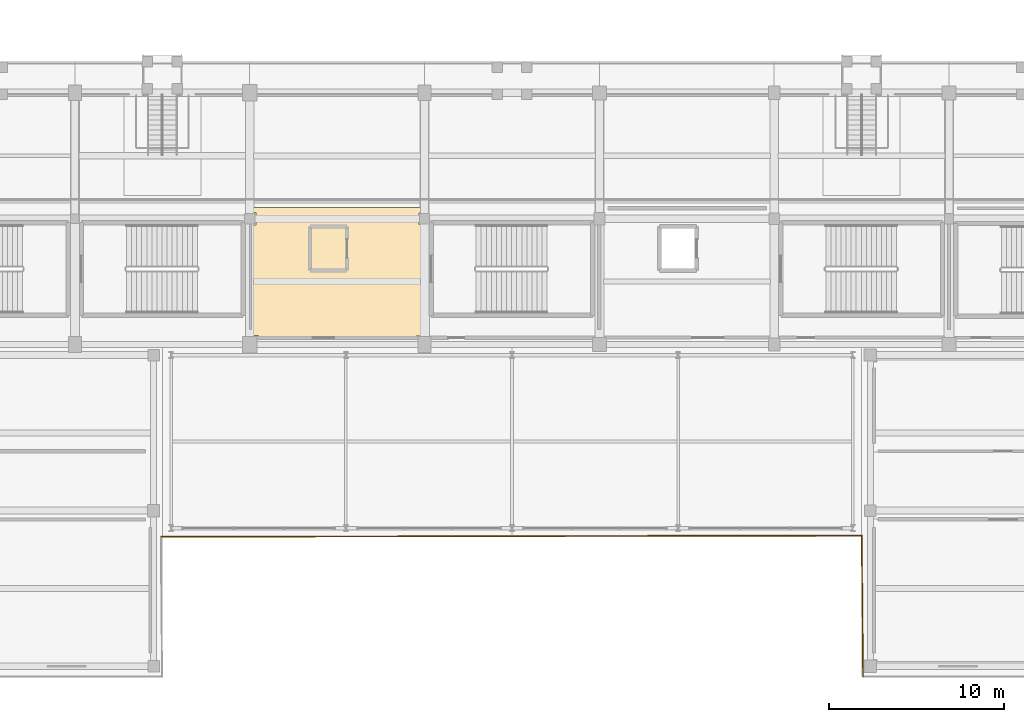
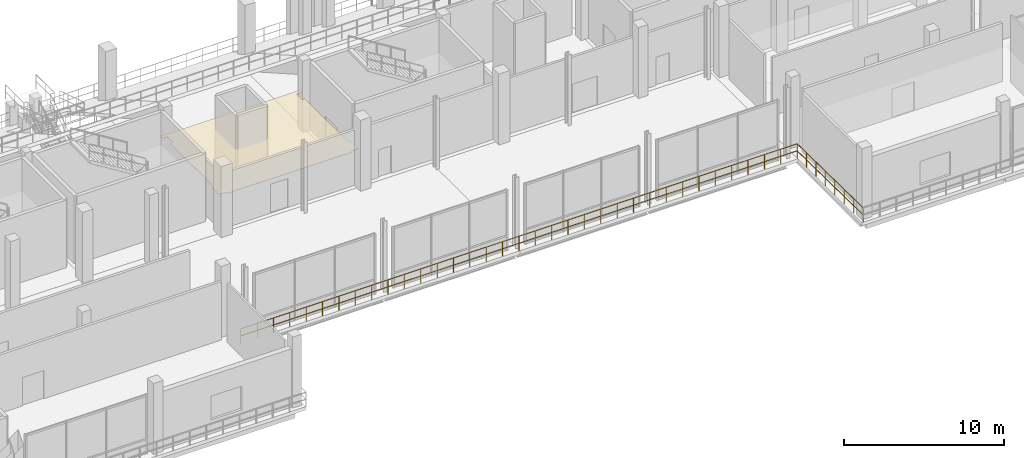
# One storey, part 100 of 127: 2 railings, 1 covering.
"""IFC4 building model written with IfcOpenShell, lengths in metres."""

from ifc_helpers import new_model, si_unit, direction, frame, origin, origin_2d, place, context, subcontext, project, spatial, polyline, circle, outline, extrude, material, layer, layer_set, type_object, element, save


model = new_model("IFC4")

# Units and contexts
model_context = context("Model", 3, precision=1e-05, world=origin(), true_north=direction((0.0, 1.0)))
body_context = subcontext(model_context, "Body", "Model", "MODEL_VIEW")
ifc_project = project(units=[si_unit("LENGTHUNIT", "METRE"), si_unit("AREAUNIT", "SQUARE_METRE"), si_unit("VOLUMEUNIT", "CUBIC_METRE"), si_unit("PLANEANGLEUNIT", "RADIAN"), si_unit("MASSUNIT", "GRAM", prefix="KILO")], contexts=[model_context])

# Site, building, storey
site_placement = place(None, origin())
site = spatial("IfcSite", under=ifc_project, at=site_placement, CompositionType="ELEMENT")
building_placement = place(site_placement, origin())
building = spatial("IfcBuilding", under=site, at=building_placement, Name="Candeia Ridge Stadium", CompositionType="ELEMENT")
storey_placement = place(building_placement, frame((0.0, 0.0, 10.800048828125)))
storey = spatial("IfcBuildingStorey", under=building, at=storey_placement, Name="L02", CompositionType="ELEMENT", Elevation=10.800048828125)

# Covering
ifc_material_1 = material(Name="Western Red Cedar Acoustic Slat", Category="wood")
ifc_layer_1 = layer(ifc_material_1, 0.044921875, Name="Western Red Cedar Acoustic Slat", Category="wood")
ifc_layer_set_1 = layer_set([ifc_layer_1], Name="Western Red Cedar Acoustic Slat")
covering_type = type_object("IfcCoveringType", Name="Slatted Cedar Acoustic Ceiling 45", PredefinedType="CEILING", material=ifc_layer_set_1)
covering_placement = place(storey_placement, frame((0.0, 0.0, 2.510009765625)))
element("IfcCovering", 1, at=covering_placement, inside=storey, type_object=covering_type, Name="Acoustic ceiling Club Hospitality Suite L02-21", PredefinedType="CEILING", context=body_context, shape_type="SweptSolid", body=[
    extrude(outline(polyline([(101.005859375, 26.829345703125), (101.0087890625, 26.82861328125), (101.011474609375, 26.82763671875), (101.01416015625, 26.826416015625), (101.0166015625, 26.824951171875), (101.01904296875, 26.8232421875), (101.021240234375, 26.8212890625), (101.023193359375, 26.819091796875), (101.02490234375, 26.816650390625), (101.026611328125, 26.814208984375), (101.027587890625, 26.8115234375), (101.02880859375, 26.80859375), (101.029296875, 26.805908203125), (101.02978515625, 26.802978515625), (101.030029296875, 26.800048828125), (101.030029296875, 26.530029296875), (100.669921875, 26.530029296875), (100.669921875, 25.8701171875), (100.8505859375, 25.8701171875), (100.850341796875, 25.8671875), (100.85009765625, 25.85009765625), (100.85009765625, 20.800048828125), (100.850341796875, 20.78271484375), (100.851806640625, 20.75341796875), (100.855224609375, 20.71923828125), (100.859619140625, 20.690185546875), (100.8662109375, 20.656494140625), (100.873291015625, 20.6279296875), (100.88330078125, 20.594970703125), (100.893310546875, 20.5673828125), (100.906494140625, 20.53564453125), (100.9189453125, 20.5087890625), (100.935302734375, 20.478515625), (100.950439453125, 20.453369140625), (100.969482421875, 20.4248046875), (100.987060546875, 20.401123046875), (101.0087890625, 20.37451171875), (101.028564453125, 20.352783203125), (101.030029296875, 20.351318359375), (101.030029296875, 19.489990234375), (100.510009765625, 19.489990234375), (100.510009765625, 19.3701171875), (91.514892578125, 19.3701171875), (91.514892578125, 19.514892578125), (91.010009765625, 19.514892578125), (91.010009765625, 20.3974609375), (91.012939453125, 20.401123046875), (91.030517578125, 20.4248046875), (91.049560546875, 20.453369140625), (91.064697265625, 20.478515625), (91.0810546875, 20.5087890625), (91.093505859375, 20.53564453125), (91.106689453125, 20.5673828125), (91.11669921875, 20.594970703125), (91.126708984375, 20.6279296875), (91.1337890625, 20.656494140625), (91.140380859375, 20.690185546875), (91.144775390625, 20.71923828125), (91.148193359375, 20.75341796875), (91.149658203125, 20.78271484375), (91.14990234375, 20.800048828125), (91.14990234375, 25.85009765625), (91.35009765625, 25.85009765625), (91.35009765625, 26.550048828125), (91.010009765625, 26.550048828125), (91.010009765625, 26.800048828125), (91.010009765625, 26.802978515625), (91.010498046875, 26.805908203125), (91.01123046875, 26.80859375), (91.01220703125, 26.8115234375), (91.013427734375, 26.814208984375), (91.01513671875, 26.816650390625), (91.016845703125, 26.819091796875), (91.018798828125, 26.8212890625), (91.02099609375, 26.8232421875), (91.023193359375, 26.824951171875), (91.02587890625, 26.826416015625), (91.028564453125, 26.82763671875), (91.03125, 26.82861328125), (91.0341796875, 26.829345703125), (91.037109375, 26.829833984375), (91.0400390625, 26.830078125), (101.0, 26.830078125), (101.0029296875, 26.829833984375), (101.005859375, 26.829345703125)])), origin(), (0.0, 0.0, 1.0), 0.0400390625),
])

# Railings
ifc_material_2 = material(Name="Galvanized Powder-Coated Steel", Category="steel")
ifc_layer_2 = layer(ifc_material_2, 0.074951171875, Name="Galvanized Powder-Coated Steel", Category="steel")
ifc_layer_set_2 = layer_set([ifc_layer_2], Name="Galvanized Powder-Coated Steel")
railing_type = type_object("IfcRailingType", Name="Spectator Bowl Front Guardrail 1120", PredefinedType="GUARDRAIL", material=ifc_layer_set_2)
railing_1_placement = place(storey_placement, frame((126.080078125, 0.0, 0.0)))
element("IfcRailing", 2, at=railing_1_placement, inside=storey, type_object=railing_type, Name="Deck edge safety guardrail GR-DE-L02-0067", PredefinedType="GUARDRAIL", context=body_context, shape_type="SweptSolid", body=[
    extrude(circle(Radius=0.02392578125, at=origin_2d()), frame((0.0, 0.0, 1.09619140625), z_axis=(-0.009910076542, 0.999950893986, 0.0), x_axis=(-0.999950893986, -0.009910076542, 0.0)), (0.0, 0.0, 1.0), 8.08056640625),
    extrude(circle(Radius=0.02392578125, at=origin_2d()), frame((0.0, 0.0, 0.56005859375), z_axis=(-0.009910076542, 0.999950893986, 0.0), x_axis=(-0.999950893986, -0.009910076542, 0.0)), (0.0, 0.0, 1.0), 8.08056640625),
    extrude(circle(Radius=0.02099609375, at=origin_2d()), origin(), (0.0, 0.0, 1.0), 1.072021484375),
    extrude(circle(Radius=0.02099609375, at=origin_2d()), frame((-0.011474609375, 1.154296875, 0.0)), (0.0, 0.0, 1.0), 1.072021484375),
    extrude(circle(Radius=0.02099609375, at=origin_2d()), frame((-0.02294921875, 2.30859375, 0.0)), (0.0, 0.0, 1.0), 1.072021484375),
    extrude(circle(Radius=0.02099609375, at=origin_2d()), frame((-0.034423828125, 3.462890625, 0.0)), (0.0, 0.0, 1.0), 1.072021484375),
    extrude(circle(Radius=0.02099609375, at=origin_2d()), frame((-0.045654296875, 4.6171875, 0.0)), (0.0, 0.0, 1.0), 1.072021484375),
    extrude(circle(Radius=0.02099609375, at=origin_2d()), frame((-0.05712890625, 5.771484375, 0.0)), (0.0, 0.0, 1.0), 1.072021484375),
    extrude(circle(Radius=0.02099609375, at=origin_2d()), frame((-0.068603515625, 6.92578125, 0.0)), (0.0, 0.0, 1.0), 1.072021484375),
    extrude(circle(Radius=0.02099609375, at=origin_2d()), frame((-0.080078125, 8.080078125, 0.0)), (0.0, 0.0, 1.0), 1.072021484375),
])
railing_2_placement = place(storey_placement, frame((126.0, 8.080078125, 0.0)))
element("IfcRailing", 3, at=railing_2_placement, inside=storey, type_object=railing_type, Name="Deck edge safety guardrail GR-DE-L02-0068", PredefinedType="GUARDRAIL", context=body_context, shape_type="SweptSolid", body=[
    extrude(circle(Radius=0.02392578125, at=origin_2d()), frame((0.0, 0.0, 1.09619140625), z_axis=(-0.999998004097, -0.001997949328, 0.0), x_axis=(0.001997949328, -0.999998004097, 0.0)), (0.0, 0.0, 1.0), 40.080078125),
    extrude(circle(Radius=0.02392578125, at=origin_2d()), frame((0.0, 0.0, 0.56005859375), z_axis=(-0.999998004097, -0.001997949328, 0.0), x_axis=(0.001997949328, -0.999998004097, 0.0)), (0.0, 0.0, 1.0), 40.080078125),
    extrude(circle(Radius=0.02099609375, at=origin_2d()), origin(), (0.0, 0.0, 1.0), 1.072021484375),
    extrude(circle(Radius=0.02099609375, at=origin_2d()), frame((-1.1787109375, -0.00244140625, 0.0)), (0.0, 0.0, 1.0), 1.072021484375),
    extrude(circle(Radius=0.02099609375, at=origin_2d()), frame((-2.357666015625, -0.004638671875, 0.0)), (0.0, 0.0, 1.0), 1.072021484375),
    extrude(circle(Radius=0.02099609375, at=origin_2d()), frame((-3.536376953125, -0.007080078125, 0.0)), (0.0, 0.0, 1.0), 1.072021484375),
    extrude(circle(Radius=0.02099609375, at=origin_2d()), frame((-4.71533203125, -0.009521484375, 0.0)), (0.0, 0.0, 1.0), 1.072021484375),
    extrude(circle(Radius=0.02099609375, at=origin_2d()), frame((-5.89404296875, -0.01171875, 0.0)), (0.0, 0.0, 1.0), 1.072021484375),
    extrude(circle(Radius=0.02099609375, at=origin_2d()), frame((-7.072998046875, -0.01416015625, 0.0)), (0.0, 0.0, 1.0), 1.072021484375),
    extrude(circle(Radius=0.02099609375, at=origin_2d()), frame((-8.251708984375, -0.0166015625, 0.0)), (0.0, 0.0, 1.0), 1.072021484375),
    extrude(circle(Radius=0.02099609375, at=origin_2d()), frame((-9.4306640625, -0.018798828125, 0.0)), (0.0, 0.0, 1.0), 1.072021484375),
    extrude(circle(Radius=0.02099609375, at=origin_2d()), frame((-10.609375, -0.021240234375, 0.0)), (0.0, 0.0, 1.0), 1.072021484375),
    extrude(circle(Radius=0.02099609375, at=origin_2d()), frame((-11.788330078125, -0.0234375, 0.0)), (0.0, 0.0, 1.0), 1.072021484375),
    extrude(circle(Radius=0.02099609375, at=origin_2d()), frame((-12.967041015625, -0.02587890625, 0.0)), (0.0, 0.0, 1.0), 1.072021484375),
    extrude(circle(Radius=0.02099609375, at=origin_2d()), frame((-14.14599609375, -0.0283203125, 0.0)), (0.0, 0.0, 1.0), 1.072021484375),
    extrude(circle(Radius=0.02099609375, at=origin_2d()), frame((-15.32470703125, -0.030517578125, 0.0)), (0.0, 0.0, 1.0), 1.072021484375),
    extrude(circle(Radius=0.02099609375, at=origin_2d()), frame((-16.503662109375, -0.032958984375, 0.0)), (0.0, 0.0, 1.0), 1.072021484375),
    extrude(circle(Radius=0.02099609375, at=origin_2d()), frame((-17.682373046875, -0.035400390625, 0.0)), (0.0, 0.0, 1.0), 1.072021484375),
    extrude(circle(Radius=0.02099609375, at=origin_2d()), frame((-18.861328125, -0.03759765625, 0.0)), (0.0, 0.0, 1.0), 1.072021484375),
    extrude(circle(Radius=0.02099609375, at=origin_2d()), frame((-20.0400390625, -0.0400390625, 0.0)), (0.0, 0.0, 1.0), 1.072021484375),
    extrude(circle(Radius=0.02099609375, at=origin_2d()), frame((-21.21875, -0.04248046875, 0.0)), (0.0, 0.0, 1.0), 1.072021484375),
    extrude(circle(Radius=0.02099609375, at=origin_2d()), frame((-22.397705078125, -0.044677734375, 0.0)), (0.0, 0.0, 1.0), 1.072021484375),
    extrude(circle(Radius=0.02099609375, at=origin_2d()), frame((-23.576416015625, -0.047119140625, 0.0)), (0.0, 0.0, 1.0), 1.072021484375),
    extrude(circle(Radius=0.02099609375, at=origin_2d()), frame((-24.75537109375, -0.049560546875, 0.0)), (0.0, 0.0, 1.0), 1.072021484375),
    extrude(circle(Radius=0.02099609375, at=origin_2d()), frame((-25.93408203125, -0.0517578125, 0.0)), (0.0, 0.0, 1.0), 1.072021484375),
    extrude(circle(Radius=0.02099609375, at=origin_2d()), frame((-27.113037109375, -0.05419921875, 0.0)), (0.0, 0.0, 1.0), 1.072021484375),
    extrude(circle(Radius=0.02099609375, at=origin_2d()), frame((-28.291748046875, -0.056640625, 0.0)), (0.0, 0.0, 1.0), 1.072021484375),
    extrude(circle(Radius=0.02099609375, at=origin_2d()), frame((-29.470703125, -0.058837890625, 0.0)), (0.0, 0.0, 1.0), 1.072021484375),
    extrude(circle(Radius=0.02099609375, at=origin_2d()), frame((-30.6494140625, -0.061279296875, 0.0)), (0.0, 0.0, 1.0), 1.072021484375),
    extrude(circle(Radius=0.02099609375, at=origin_2d()), frame((-31.828369140625, -0.0634765625, 0.0)), (0.0, 0.0, 1.0), 1.072021484375),
    extrude(circle(Radius=0.02099609375, at=origin_2d()), frame((-33.007080078125, -0.06591796875, 0.0)), (0.0, 0.0, 1.0), 1.072021484375),
    extrude(circle(Radius=0.02099609375, at=origin_2d()), frame((-34.18603515625, -0.068359375, 0.0)), (0.0, 0.0, 1.0), 1.072021484375),
    extrude(circle(Radius=0.02099609375, at=origin_2d()), frame((-35.36474609375, -0.070556640625, 0.0)), (0.0, 0.0, 1.0), 1.072021484375),
    extrude(circle(Radius=0.02099609375, at=origin_2d()), frame((-36.543701171875, -0.072998046875, 0.0)), (0.0, 0.0, 1.0), 1.072021484375),
    extrude(circle(Radius=0.02099609375, at=origin_2d()), frame((-37.722412109375, -0.075439453125, 0.0)), (0.0, 0.0, 1.0), 1.072021484375),
    extrude(circle(Radius=0.02099609375, at=origin_2d()), frame((-38.9013671875, -0.07763671875, 0.0)), (0.0, 0.0, 1.0), 1.072021484375),
    extrude(circle(Radius=0.02099609375, at=origin_2d()), frame((-40.080078125, -0.080078125, 0.0)), (0.0, 0.0, 1.0), 1.072021484375),
])

save(model, "model.ifc")
